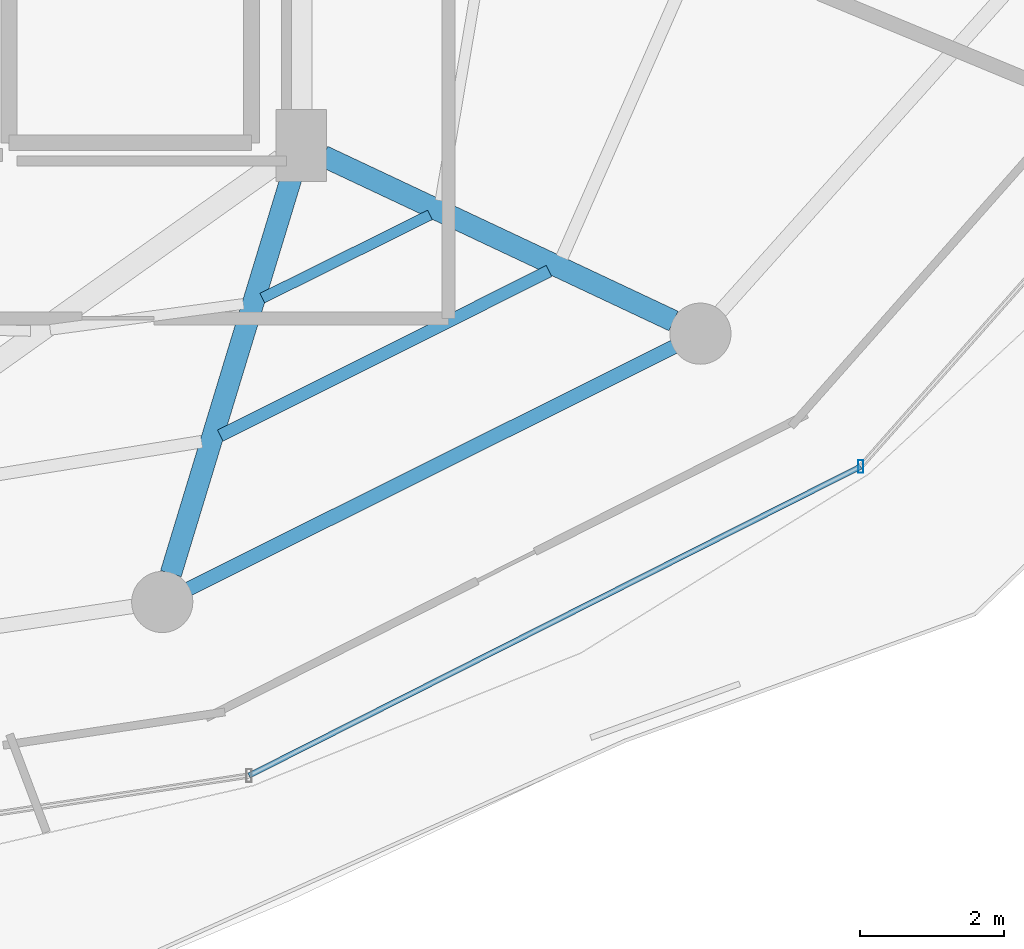
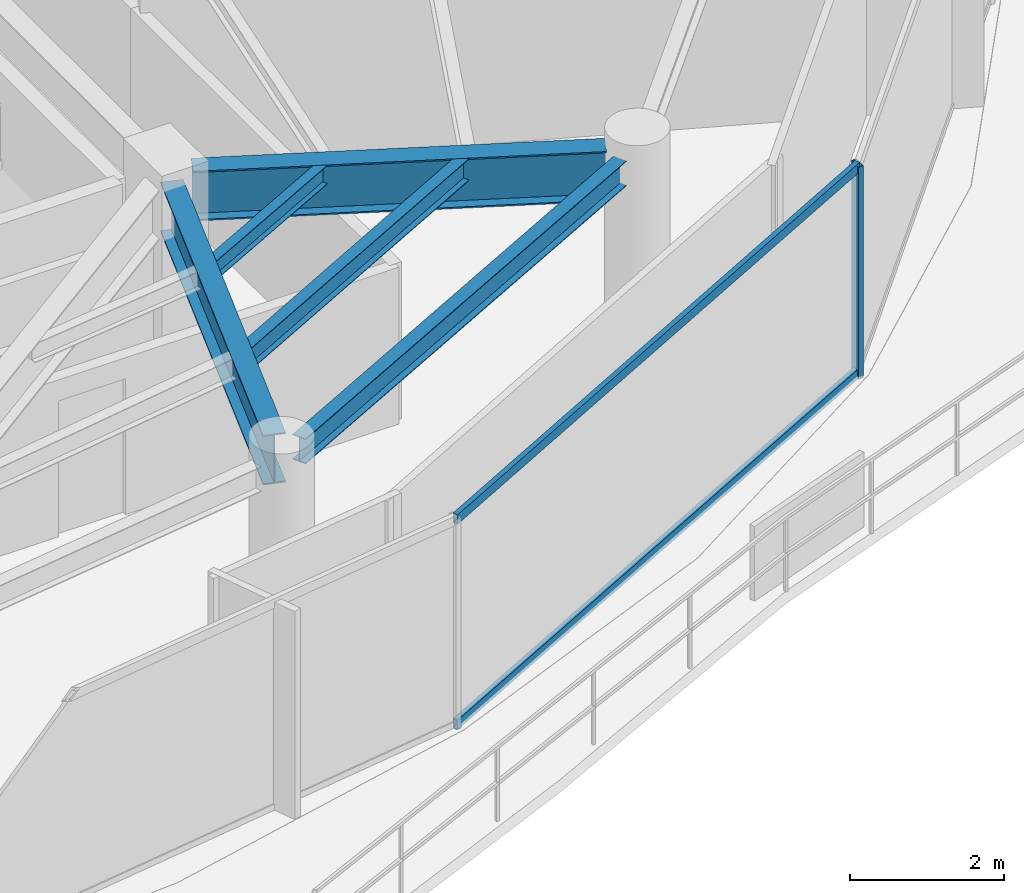
# One storey, part 11 of 30: 5 beams, 3 members, 1 element without a shape of its own.
"""IFC4 building model written with IfcOpenShell, lengths in metres."""

from ifc_helpers import new_model, si_unit, direction, frame, origin, origin_2d, place, context, subcontext, project, spatial, hollow_rectangle, i_section, extrude, material, material_profile, profile_set, type_object, element, aggregate, save


model = new_model("IFC4")

# Units and contexts
model_context = context("Model", 3, precision=1e-05, world=origin(), true_north=direction((0.0, 1.0)))
body_context = subcontext(model_context, "Body", "Model", "MODEL_VIEW")
ifc_project = project(units=[si_unit("LENGTHUNIT", "METRE"), si_unit("AREAUNIT", "SQUARE_METRE"), si_unit("VOLUMEUNIT", "CUBIC_METRE"), si_unit("PLANEANGLEUNIT", "RADIAN"), si_unit("MASSUNIT", "GRAM", prefix="KILO")], contexts=[model_context])

# Site, building, storey
site_placement = place(None, origin())
site = spatial("IfcSite", under=ifc_project, at=site_placement, CompositionType="ELEMENT")
building_placement = place(site_placement, origin())
building = spatial("IfcBuilding", under=site, at=building_placement, Name="Vorneva Point Tower", CompositionType="ELEMENT")
storey_placement = place(building_placement, frame((0.0, 0.0, 237.800048828125)))
storey = spatial("IfcBuildingStorey", under=building, at=storey_placement, Name="L64", CompositionType="ELEMENT", Elevation=237.800048828125)

# Beams
ifc_material_1 = material(Name="Steel S355", Category="steel")
ifc_material_profile_1 = material_profile(ifc_material_1, i_section(OverallWidth=0.300048828125, OverallDepth=0.7880859375, WebThickness=0.014404296875, FlangeThickness=0.02197265625, at=origin_2d()), Name="80Sh1")
ifc_profile_set_1 = profile_set([ifc_material_profile_1], Name="Steel S355")
beam_type_1 = type_object("IfcBeamType", Name="BM-GRD-80Sh1", PredefinedType="USERDEFINED", material=ifc_profile_set_1)
beam_1_placement = place(storey_placement, frame((46.941162109375, 10.50439453125, 2.89599609375), z_axis=(0.291032624293, 0.956713129207, 0.0), x_axis=(-0.956713129207, 0.291032624293, 0.0)))
element("IfcBeam", 1, at=beam_1_placement, inside=storey, type_object=beam_type_1, Name="L64 Radial Primary Girder 14", ObjectType="GIRDER", PredefinedType="USERDEFINED", context=body_context, shape_type="SweptSolid", body=[
    extrude(i_section(OverallWidth=0.300048828125, OverallDepth=0.7880859375, WebThickness=0.014404296875, FlangeThickness=0.02197265625, at=origin_2d()), origin(), (0.0, 0.0, 1.0), 5.874755859375),
])
beam_2_placement = place(storey_placement, frame((53.925048828125, 14.013671875, 2.89599609375), z_axis=(-0.904750812805, 0.425941271455, 0.0), x_axis=(-0.425941271455, -0.904750812805, 0.0)))
element("IfcBeam", 2, at=beam_2_placement, inside=storey, type_object=beam_type_1, Name="L64 Radial Primary Girder 15", ObjectType="GIRDER", PredefinedType="USERDEFINED", context=body_context, shape_type="SweptSolid", body=[
    extrude(i_section(OverallWidth=0.300048828125, OverallDepth=0.7880859375, WebThickness=0.014404296875, FlangeThickness=0.02197265625, at=origin_2d()), origin(), (0.0, 0.0, 1.0), 5.3798828125),
])
ifc_material_profile_2 = material_profile(ifc_material_1, i_section(OverallWidth=0.14892578125, OverallDepth=0.298095703125, WebThickness=0.005615234375, FlangeThickness=0.008056640625, at=origin_2d()), Name="30B1")
ifc_profile_set_2 = profile_set([ifc_material_profile_2], Name="Steel S355")
beam_type_2 = type_object("IfcBeamType", Name="BM-JST-30B1", PredefinedType="JOIST", material=ifc_profile_set_2)
beam_3_placement = place(storey_placement, frame((48.210205078125, 14.331298828125, 3.140869140625), z_axis=(0.895737278739, 0.444583768796, 0.0), x_axis=(-0.444583768796, 0.895737278739, 0.0)))
element("IfcBeam", 3, at=beam_3_placement, inside=storey, type_object=beam_type_2, Name="L64 Secondary Floor Beam 2.14", PredefinedType="JOIST", context=body_context, shape_type="SweptSolid", body=[
    extrude(i_section(OverallWidth=0.14892578125, OverallDepth=0.298095703125, WebThickness=0.005615234375, FlangeThickness=0.008056640625, at=origin_2d()), origin(), (0.0, 0.0, 1.0), 2.601318359375),
])
ifc_material_profile_3 = material_profile(ifc_material_1, i_section(OverallWidth=0.174072265625, OverallDepth=0.345947265625, WebThickness=0.006103515625, FlangeThickness=0.009033203125, at=origin_2d()), Name="35B1")
ifc_profile_set_3 = profile_set([ifc_material_profile_3], Name="Steel S355")
beam_type_3 = type_object("IfcBeamType", Name="BM-SEC-35B1", PredefinedType="BEAM", material=ifc_profile_set_3)
beam_4_placement = place(storey_placement, frame((47.62890625, 12.4208984375, 3.116943359375), z_axis=(0.894121037804, 0.447825378643, 0.0), x_axis=(-0.447825378643, 0.894121037804, 0.0)))
element("IfcBeam", 4, at=beam_4_placement, inside=storey, type_object=beam_type_3, Name="L64 Secondary Floor Beam 1.14", PredefinedType="BEAM", context=body_context, shape_type="SweptSolid", body=[
    extrude(i_section(OverallWidth=0.174072265625, OverallDepth=0.345947265625, WebThickness=0.006103515625, FlangeThickness=0.009033203125, at=origin_2d()), origin(), (0.0, 0.0, 1.0), 5.107177734375),
])
ifc_material_profile_4 = material_profile(ifc_material_1, i_section(OverallWidth=0.198974609375, OverallDepth=0.39599609375, WebThickness=0.007080078125, FlangeThickness=0.010986328125, at=origin_2d()), Name="40B1")
ifc_profile_set_4 = profile_set([ifc_material_profile_4], Name="Steel S355")
beam_type_4 = type_object("IfcBeamType", Name="BM-SPN-40B1", PredefinedType="SPANDREL", material=ifc_profile_set_4)
beam_5_placement = place(storey_placement, frame((47.187744140625, 10.292236328125, 3.092041015625), z_axis=(0.894932011528, 0.446202526599, 0.0), x_axis=(-0.446202526599, 0.894932011528, 0.0)))
element("IfcBeam", 5, at=beam_5_placement, inside=storey, type_object=beam_type_4, Name="L64 Perimeter Spandrel Ring Beam 14", PredefinedType="SPANDREL", context=body_context, shape_type="SweptSolid", body=[
    extrude(i_section(OverallWidth=0.198974609375, OverallDepth=0.39599609375, WebThickness=0.007080078125, FlangeThickness=0.010986328125, at=origin_2d()), origin(), (0.0, 0.0, 1.0), 7.535888671875),
])

# Curtain wall, members
ifc_material_2 = material(Name="Pale anodised aluminium", Category="aluminium")
curtain_wall_type = type_object("IfcCurtainWallType", Name="CW-RES-SYS", PredefinedType="NOTDEFINED", material=ifc_material_2)
curtain_wall_placement = place(storey_placement, origin())
curtain_wall = element("IfcCurtainWall", 6, at=curtain_wall_placement, inside=storey, type_object=curtain_wall_type, Name="L64 Unitised Curtain Wall CW-L64-R04", PredefinedType="NOTDEFINED")
ifc_material_profile_5 = material_profile(ifc_material_2, hollow_rectangle(XDim=0.074951171875, YDim=0.179931640625, WallThickness=0.00390625, at=origin_2d()), Name="AL-MUL 180x75x4")
ifc_profile_set_5 = profile_set([ifc_material_profile_5], Name="Pale anodised aluminium")
member_type_1 = type_object("IfcMemberType", Name="CW-MUL-180", PredefinedType="MULLION", material=ifc_profile_set_5)
member_1_placement = place(storey_placement, frame((56.526123046875, 11.9921875, -0.0400390625), z_axis=(0.0, 0.0, 1.0), x_axis=(1.0, 0.0, 0.0)))
member_1 = element("IfcMember", 7, at=member_1_placement, type_object=member_type_1, Name="CW-L64-R04 Mullion 05", PredefinedType="MULLION", context=body_context, shape_type="SweptSolid", body=[
    extrude(hollow_rectangle(XDim=0.074951171875, YDim=0.179931640625, WallThickness=0.00390625, at=origin_2d()), origin(), (0.0, 0.0, 1.0), 3.360107421875),
])
ifc_material_profile_6 = material_profile(ifc_material_2, hollow_rectangle(XDim=0.074951171875, YDim=0.14990234375, WallThickness=0.00390625, at=origin_2d()), Name="AL-TRN 150x75x4")
ifc_profile_set_6 = profile_set([ifc_material_profile_6], Name="Pale anodised aluminium")
member_type_2 = type_object("IfcMemberType", Name="CW-TRN-150", PredefinedType="USERDEFINED", material=ifc_profile_set_6)
member_2_placement = place(storey_placement, frame((48.0263671875, 7.697998046875, 0.02001953125), z_axis=(0.892558185815, 0.450932239848, 0.0), x_axis=(-0.450932239848, 0.892558185815, 0.0)))
member_2 = element("IfcMember", 8, at=member_2_placement, type_object=member_type_2, Name="CW-L64-R04 Transom 04.1", ObjectType="TRANSOM", PredefinedType="USERDEFINED", context=body_context, shape_type="SweptSolid", body=[
    extrude(hollow_rectangle(XDim=0.074951171875, YDim=0.14990234375, WallThickness=0.00390625, at=origin_2d()), origin(), (0.0, 0.0, 1.0), 9.52294921875),
])
member_3_placement = place(storey_placement, frame((48.0263671875, 7.697998046875, 3.27001953125), z_axis=(0.892558185815, 0.450932239848, 0.0), x_axis=(-0.450932239848, 0.892558185815, 0.0)))
member_3 = element("IfcMember", 9, at=member_3_placement, type_object=member_type_2, Name="CW-L64-R04 Transom 04.2", ObjectType="TRANSOM", PredefinedType="USERDEFINED", context=body_context, shape_type="SweptSolid", body=[
    extrude(hollow_rectangle(XDim=0.074951171875, YDim=0.14990234375, WallThickness=0.00390625, at=origin_2d()), origin(), (0.0, 0.0, 1.0), 9.52294921875),
])
aggregate(curtain_wall, [member_1, member_2, member_3])

save(model, "model.ifc")
